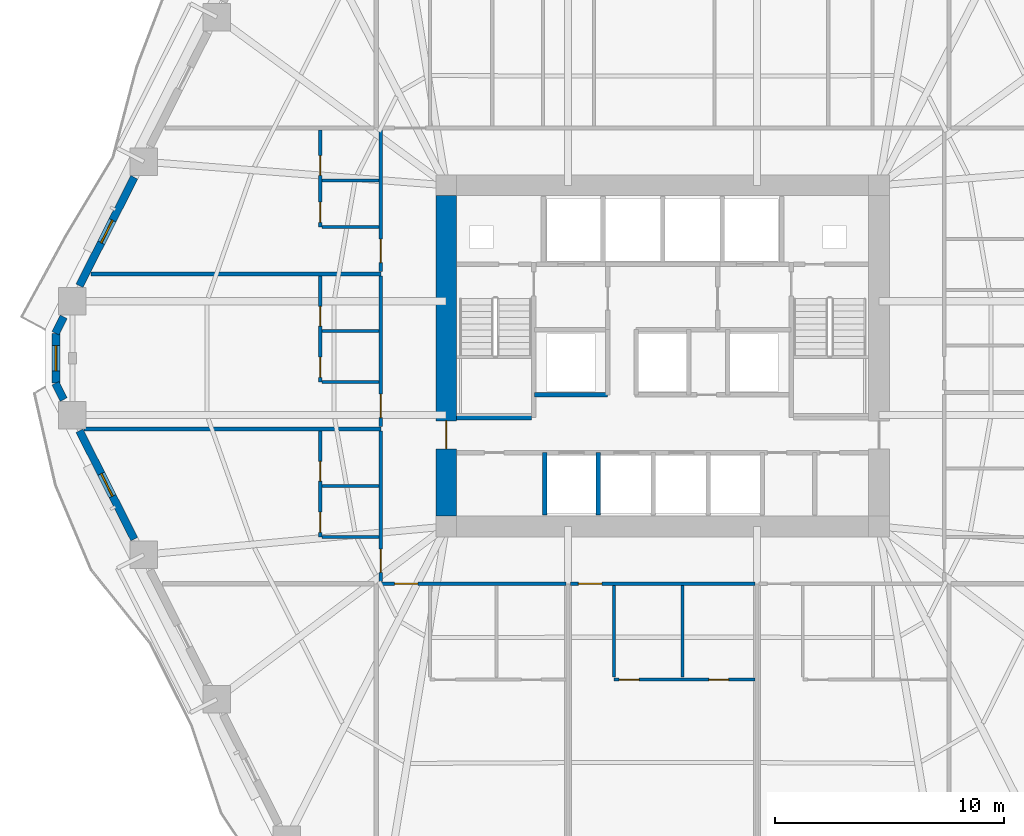
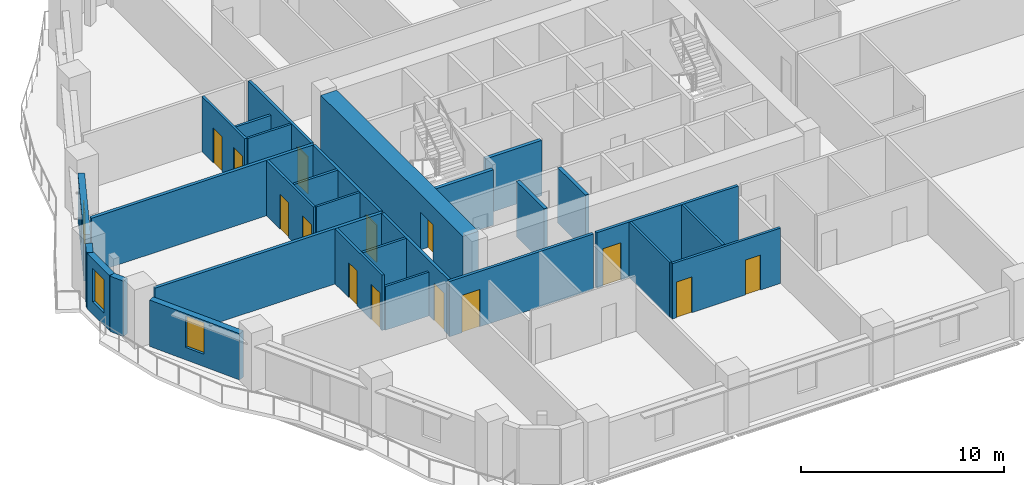
# One storey, part 4 of 14: 29 walls, 14 doors, 3 windows, 17 openings.
"""IFC4 building model written with IfcOpenShell, lengths in metres."""

from ifc_helpers import new_model, si_unit, direction, frame, frame_2d, origin, place, context, subcontext, project, spatial, rectangle, extrude, material, layer, layer_set, type_object, element, fill, save


model = new_model("IFC4")

# Units and contexts
model_context = context("Model", 3, precision=1e-05, world=origin(), true_north=direction((0.0, 1.0)))
body_context = subcontext(model_context, "Body", "Model", "MODEL_VIEW")
ifc_project = project(units=[si_unit("LENGTHUNIT", "METRE"), si_unit("AREAUNIT", "SQUARE_METRE"), si_unit("VOLUMEUNIT", "CUBIC_METRE"), si_unit("PLANEANGLEUNIT", "RADIAN"), si_unit("MASSUNIT", "GRAM", prefix="KILO")], contexts=[model_context])

# Site, building, storey
site_placement = place(None, origin())
site = spatial("IfcSite", under=ifc_project, at=site_placement, CompositionType="ELEMENT")
building_placement = place(site_placement, origin())
building = spatial("IfcBuilding", under=site, at=building_placement, Name="Cinnabar Lancet Tower", CompositionType="ELEMENT")
storey_placement = place(building_placement, frame((0.0, 0.0, 39.10009765625)))
storey = spatial("IfcBuildingStorey", under=building, at=storey_placement, Name="L09", CompositionType="ELEMENT", Elevation=39.10009765625)

# Wall, opening, door
ifc_material_1 = material(Name="Acoustic twin-stud gypsum partition", Category="gypsum")
ifc_layer_1 = layer(ifc_material_1, 0.159912109375)
ifc_layer_set_1 = layer_set([ifc_layer_1], Name="Acoustic twin-stud gypsum partition")
wall_type_1 = type_object("IfcWallType", Name="ARC-WL-CORR-160", PredefinedType="PARTITIONING", material=ifc_layer_set_1)
wall_1_placement = place(storey_placement, frame((19.9951171875, 15.949951171875, 0.0), z_axis=(0.0, 0.0, 1.0), x_axis=(1.0, 0.0, 0.0)))
wall_1 = element("IfcWall", 1, at=wall_1_placement, inside=storey, type_object=wall_type_1, Name="L09 Unit S01 Corridor Wall", PredefinedType="PARTITIONING", context=body_context, shape_type="SweptSolid", body=[
    extrude(rectangle(XDim=8.18798828125, YDim=0.159912109375, at=frame_2d((4.093994140625, 0.0))), origin(), (0.0, 0.0, 1.0), 3.329833984375),
])
opening_1_placement = place(wall_1_placement, frame((0.705078125, 0.0, 0.0)))
opening_1 = element("IfcOpeningElement", 2, at=opening_1_placement, cuts=wall_1, Name="Opening UD-01", PredefinedType="OPENING", context=body_context, shape_type="SweptSolid", body=[
    extrude(rectangle(XDim=1.02001953125, YDim=2.25, at=frame_2d((0.510009765625, 1.125))), frame((0.0, 0.08984375, 0.0), z_axis=(0.0, -1.0, 0.0), x_axis=(1.0, 0.0, 0.0)), (0.0, 0.0, 1.0), 0.179931640625),
])
ifc_material_2 = material(Name="Solid timber fire-rated apartment entrance door", Category="wood")
door_type_1 = type_object("IfcDoorType", Name="ARC-DR-UNIT", OperationType="NOTDEFINED", PredefinedType="DOOR", material=ifc_material_2)
door_1_placement = place(opening_1_placement, origin())
door_1 = element("IfcDoor", 3, at=door_1_placement, inside=storey, type_object=door_type_1, Name="DR-L09-S01-ENT", OperationType="SINGLE_SWING_LEFT", OverallHeight=2.25, OverallWidth=1.02001953125, PredefinedType="DOOR", context=body_context, shape_type="SweptSolid", body=[
    extrude(rectangle(XDim=1.02001953125, YDim=2.25, at=frame_2d((0.510009765625, 1.125))), frame((0.0, 0.02490234375, 0.0), z_axis=(0.0, -1.0, 0.0), x_axis=(1.0, 0.0, 0.0)), (0.0, 0.0, 1.0), 0.050048828125),
])
fill(opening_1, door_1)

wall_2_placement = place(storey_placement, frame((28.373046875, 15.949951171875, 0.0), z_axis=(0.0, 0.0, 1.0), x_axis=(1.0, 0.0, 0.0)))
wall_2 = element("IfcWall", 4, at=wall_2_placement, inside=storey, type_object=wall_type_1, Name="L09 Unit S02 Corridor Wall", PredefinedType="PARTITIONING", context=body_context, shape_type="SweptSolid", body=[
    extrude(rectangle(XDim=8.053955078125, YDim=0.159912109375, at=frame_2d((4.02685546875, 0.0))), origin(), (0.0, 0.0, 1.0), 3.329833984375),
])
opening_2_placement = place(wall_2_placement, frame((0.35498046875, 0.0, 0.0)))
opening_2 = element("IfcOpeningElement", 5, at=opening_2_placement, cuts=wall_2, Name="Opening UD-01", PredefinedType="OPENING", context=body_context, shape_type="SweptSolid", body=[
    extrude(rectangle(XDim=1.02001953125, YDim=2.25, at=frame_2d((0.510009765625, 1.125))), frame((0.0, 0.08984375, 0.0), z_axis=(0.0, -1.0, 0.0), x_axis=(1.0, 0.0, 0.0)), (0.0, 0.0, 1.0), 0.179931640625),
])
door_2_placement = place(opening_2_placement, origin())
door_2 = element("IfcDoor", 6, at=door_2_placement, inside=storey, type_object=door_type_1, Name="DR-L09-S02-ENT", OperationType="SINGLE_SWING_RIGHT", OverallHeight=2.25, OverallWidth=1.02001953125, PredefinedType="DOOR", context=body_context, shape_type="SweptSolid", body=[
    extrude(rectangle(XDim=1.02001953125, YDim=2.25, at=frame_2d((0.510009765625, 1.125))), frame((0.0, 0.02490234375, 0.0), z_axis=(0.0, -1.0, 0.0), x_axis=(1.0, 0.0, 0.0)), (0.0, 0.0, 1.0), 0.050048828125),
])
fill(opening_2, door_2)

wall_3_placement = place(storey_placement, frame((20.10009765625, 16.044921875, 0.0), z_axis=(0.0, 0.0, 1.0), x_axis=(0.0, 1.0, 0.0)))
wall_3 = element("IfcWall", 7, at=wall_3_placement, inside=storey, type_object=wall_type_1, Name="UW-L09-W01-COR", PredefinedType="PARTITIONING", context=body_context, shape_type="SweptSolid", body=[
    extrude(rectangle(XDim=6.576171875, YDim=0.159912109375, at=frame_2d((3.2880859375, 0.0))), origin(), (0.0, 0.0, 1.0), 3.329833984375),
])
opening_3_placement = place(wall_3_placement, frame((0.39990234375, 0.0, 0.0)))
opening_3 = element("IfcOpeningElement", 8, at=opening_3_placement, cuts=wall_3, Name="Opening UD-01", PredefinedType="OPENING", context=body_context, shape_type="SweptSolid", body=[
    extrude(rectangle(XDim=1.02001953125, YDim=2.25, at=frame_2d((0.510009765625, 1.125))), frame((0.0, 0.08984375, 0.0), z_axis=(0.0, -1.0, 0.0), x_axis=(1.0, 0.0, 0.0)), (0.0, 0.0, 1.0), 0.179931640625),
])
door_3_placement = place(opening_3_placement, origin())
door_3 = element("IfcDoor", 9, at=door_3_placement, inside=storey, type_object=door_type_1, Name="DR-L09-W01-ENT", OperationType="SINGLE_SWING_LEFT", OverallHeight=2.25, OverallWidth=1.02001953125, PredefinedType="DOOR", context=body_context, shape_type="SweptSolid", body=[
    extrude(rectangle(XDim=1.02001953125, YDim=2.25, at=frame_2d((0.510009765625, 1.125))), frame((0.0, 0.02490234375, 0.0), z_axis=(0.0, -1.0, 0.0), x_axis=(1.0, 0.0, 0.0)), (0.0, 0.0, 1.0), 0.050048828125),
])
fill(opening_3, door_3)

wall_4_placement = place(storey_placement, frame((20.10009765625, 22.81103515625, 0.0), z_axis=(0.0, 0.0, 1.0), x_axis=(0.0, 1.0, 0.0)))
wall_4 = element("IfcWall", 10, at=wall_4_placement, inside=storey, type_object=wall_type_1, Name="UW-L09-W02-COR", PredefinedType="PARTITIONING", context=body_context, shape_type="SweptSolid", body=[
    extrude(rectangle(XDim=6.575927734375, YDim=0.159912109375, at=frame_2d((3.2880859375, 0.0))), origin(), (0.0, 0.0, 1.0), 3.329833984375),
])
opening_4_placement = place(wall_4_placement, frame((0.39990234375, 0.0, 0.0)))
opening_4 = element("IfcOpeningElement", 11, at=opening_4_placement, cuts=wall_4, Name="Opening UD-01", PredefinedType="OPENING", context=body_context, shape_type="SweptSolid", body=[
    extrude(rectangle(XDim=1.02001953125, YDim=2.25, at=frame_2d((0.510009765625, 1.125))), frame((0.0, 0.08984375, 0.0), z_axis=(0.0, -1.0, 0.0), x_axis=(1.0, 0.0, 0.0)), (0.0, 0.0, 1.0), 0.179931640625),
])
door_4_placement = place(opening_4_placement, origin())
door_4 = element("IfcDoor", 12, at=door_4_placement, inside=storey, type_object=door_type_1, Name="DR-L09-W02-ENT", OperationType="SINGLE_SWING_RIGHT", OverallHeight=2.25, OverallWidth=1.02001953125, PredefinedType="DOOR", context=body_context, shape_type="SweptSolid", body=[
    extrude(rectangle(XDim=1.02001953125, YDim=2.25, at=frame_2d((0.510009765625, 1.125))), frame((0.0, 0.02490234375, 0.0), z_axis=(0.0, -1.0, 0.0), x_axis=(1.0, 0.0, 0.0)), (0.0, 0.0, 1.0), 0.050048828125),
])
fill(opening_4, door_4)

wall_5_placement = place(storey_placement, frame((20.10009765625, 29.576904296875, 0.0), z_axis=(0.0, 0.0, 1.0), x_axis=(0.0, 1.0, 0.0)))
wall_5 = element("IfcWall", 13, at=wall_5_placement, inside=storey, type_object=wall_type_1, Name="UW-L09-W03-COR", PredefinedType="PARTITIONING", context=body_context, shape_type="SweptSolid", body=[
    extrude(rectangle(XDim=6.177978515625, YDim=0.159912109375, at=frame_2d((3.0888671875, 0.0))), origin(), (0.0, 0.0, 1.0), 3.329833984375),
])
opening_5_placement = place(wall_5_placement, frame((0.39990234375, 0.0, 0.0)))
opening_5 = element("IfcOpeningElement", 14, at=opening_5_placement, cuts=wall_5, Name="Opening UD-01", PredefinedType="OPENING", context=body_context, shape_type="SweptSolid", body=[
    extrude(rectangle(XDim=1.02001953125, YDim=2.25, at=frame_2d((0.510009765625, 1.125))), frame((0.0, 0.08984375, 0.0), z_axis=(0.0, -1.0, 0.0), x_axis=(1.0, 0.0, 0.0)), (0.0, 0.0, 1.0), 0.179931640625),
])
door_5_placement = place(opening_5_placement, origin())
door_5 = element("IfcDoor", 15, at=door_5_placement, inside=storey, type_object=door_type_1, Name="DR-L09-W03-ENT", OperationType="SINGLE_SWING_LEFT", OverallHeight=2.25, OverallWidth=1.02001953125, PredefinedType="DOOR", context=body_context, shape_type="SweptSolid", body=[
    extrude(rectangle(XDim=1.02001953125, YDim=2.25, at=frame_2d((0.510009765625, 1.125))), frame((0.0, 0.02490234375, 0.0), z_axis=(0.0, -1.0, 0.0), x_axis=(1.0, 0.0, 0.0)), (0.0, 0.0, 1.0), 0.050048828125),
])
fill(opening_5, door_5)

# Walls
ifc_material_3 = material(Name="Fire-rated twin-frame acoustic drywall", Category="gypsum")
ifc_layer_2 = layer(ifc_material_3, 0.179931640625)
ifc_layer_set_2 = layer_set([ifc_layer_2], Name="Fire-rated twin-frame acoustic drywall")
wall_type_2 = type_object("IfcWallType", Name="ARC-WL-PARTY-180", PredefinedType="PARTITIONING", material=ifc_layer_set_2)
wall_6_placement = place(storey_placement, frame((7.139892578125, 22.716064453125, 0.0), z_axis=(0.0, 0.0, 1.0), x_axis=(1.0, 0.0, 0.0)))
element("IfcWall", 16, at=wall_6_placement, inside=storey, type_object=wall_type_2, Name="PW-L09-WPTY-1", PredefinedType="PARTITIONING", context=body_context, shape_type="SweptSolid", body=[
    extrude(rectangle(XDim=12.960205078125, YDim=0.179931640625, at=frame_2d((6.47998046875, 0.0))), origin(), (0.0, 0.0, 1.0), 3.329833984375),
])
wall_7_placement = place(storey_placement, frame((7.443115234375, 29.48193359375, 0.0), z_axis=(0.0, 0.0, 1.0), x_axis=(1.0, 0.0, 0.0)))
element("IfcWall", 17, at=wall_7_placement, inside=storey, type_object=wall_type_2, Name="PW-L09-WPTY-2", PredefinedType="PARTITIONING", context=body_context, shape_type="SweptSolid", body=[
    extrude(rectangle(XDim=12.656982421875, YDim=0.179931640625, at=frame_2d((6.32861328125, 0.0))), origin(), (0.0, 0.0, 1.0), 3.329833984375),
])
ifc_material_4 = material(Name="Autoclaved aerated concrete blockwork", Category="masonry")
ifc_layer_3 = layer(ifc_material_4, 0.199951171875)
ifc_layer_set_3 = layer_set([ifc_layer_3], Name="Autoclaved aerated concrete blockwork")
wall_type_3 = type_object("IfcWallType", Name="ARC-WL-SHAFT-200", PredefinedType="PLUMBINGWALL", material=ifc_layer_set_3)
wall_8_placement = place(storey_placement, frame((23.405029296875, 23.199951171875, 0.0), z_axis=(0.0, 0.0, 1.0), x_axis=(1.0, 0.0, 0.0)))
element("IfcWall", 18, at=wall_8_placement, inside=storey, type_object=wall_type_3, Name="CW-ST1S-L09", PredefinedType="PLUMBINGWALL", context=body_context, shape_type="SweptSolid", body=[
    extrude(rectangle(XDim=3.27001953125, YDim=0.199951171875, at=frame_2d((1.635009765625, 0.0))), origin(), (0.0, 0.0, 1.0), 3.329833984375),
])
wall_9_placement = place(storey_placement, frame((26.800048828125, 24.199951171875, 0.0), z_axis=(0.0, 0.0, 1.0), x_axis=(1.0, 0.0, 0.0)))
element("IfcWall", 19, at=wall_9_placement, inside=storey, type_object=wall_type_3, Name="CW-PL5S-L09", PredefinedType="PLUMBINGWALL", context=body_context, shape_type="SweptSolid", body=[
    extrude(rectangle(XDim=3.199951171875, YDim=0.199951171875, at=frame_2d((1.60009765625, 0.0))), origin(), (0.0, 0.0, 1.0), 3.329833984375),
])
for number, where, z_axis, x_axis, name in (
    (20, (27.25, 18.949951171875, 0.0), (0.0, 0.0, 1.0), (0.0, 1.0, 0.0), "CW-SB-2725-L09"),
    (21, (29.60009765625, 18.949951171875, 0.0), (0.0, 0.0, 1.0), (0.0, 1.0, 0.0), "CW-SB-2960-L09"),
):
    element("IfcWall", number, at=place(storey_placement, frame(where, z_axis=z_axis, x_axis=x_axis)), inside=storey, type_object=wall_type_3, Name=name, PredefinedType="PLUMBINGWALL", context=body_context, shape_type="SweptSolid", body=[
        extrude(rectangle(XDim=2.72998046875, YDim=0.199951171875, at=frame_2d((1.364990234375, 0.0))), origin(), (0.0, 0.0, 1.0), 3.329833984375),
    ])
ifc_material_5 = material(Name="Gypsum plasterboard stud partition", Category="gypsum")
ifc_layer_4 = layer(ifc_material_5, 0.125)
ifc_layer_set_4 = layer_set([ifc_layer_4], Name="Gypsum plasterboard stud partition")
wall_type_4 = type_object("IfcWallType", Name="ARC-WL-UNIT-125", PredefinedType="PARTITIONING", material=ifc_layer_set_4)
wall_10_placement = place(storey_placement, frame((30.278076171875, 11.8720703125, 0.0), z_axis=(0.0, 0.0, 1.0), x_axis=(0.0, 1.0, 0.0)))
element("IfcWall", 22, at=wall_10_placement, inside=storey, type_object=wall_type_4, Name="UW-L09-S02-FOYE", PredefinedType="PARTITIONING", context=body_context, shape_type="SweptSolid", body=[
    extrude(rectangle(XDim=3.992919921875, YDim=0.125, at=frame_2d((1.99658203125, 0.0))), origin(), (0.0, 0.0, 1.0), 3.329833984375),
])
wall_11_placement = place(storey_placement, frame((17.534912109375, 18.0, 0.0), z_axis=(0.0, 0.0, 1.0), x_axis=(1.0, 0.0, 0.0)))
element("IfcWall", 23, at=wall_11_placement, inside=storey, type_object=wall_type_4, Name="UW-L09-W01-FOYN", PredefinedType="PARTITIONING", context=body_context, shape_type="SweptSolid", body=[
    extrude(rectangle(XDim=2.47998046875, YDim=0.125, at=frame_2d((1.239990234375, 0.0))), origin(), (0.0, 0.0, 1.0), 2.635986328125),
])
for number, where, z_axis, x_axis, name in (
    (24, (17.534912109375, 24.76611328125, 0.0), (0.0, 0.0, 1.0), (1.0, 0.0, 0.0), "UW-L09-W02-FOYN"),
    (25, (17.534912109375, 31.531982421875, 0.0), (0.0, 0.0, 1.0), (1.0, 0.0, 0.0), "UW-L09-W03-FOYN"),
):
    element("IfcWall", number, at=place(storey_placement, frame(where, z_axis=z_axis, x_axis=x_axis)), inside=storey, type_object=wall_type_4, Name=name, PredefinedType="PARTITIONING", context=body_context, shape_type="SweptSolid", body=[
        extrude(rectangle(XDim=2.47998046875, YDim=0.125, at=frame_2d((1.239990234375, 0.0))), origin(), (0.0, 0.0, 1.0), 3.329833984375),
    ])

# Wall, openings, doors
ifc_material_6 = material(Name="Moisture-resistant cement-board plumbing wall", Category="masonry")
ifc_layer_5 = layer(ifc_material_6, 0.139892578125)
ifc_layer_set_5 = layer_set([ifc_layer_5], Name="Moisture-resistant cement-board plumbing wall")
wall_type_5 = type_object("IfcWallType", Name="ARC-WL-WET-140", PredefinedType="PLUMBINGWALL", material=ifc_layer_set_5)
wall_12_placement = place(storey_placement, frame((30.278076171875, 11.76708984375, 0.0), z_axis=(0.0, 0.0, 1.0), x_axis=(1.0, 0.0, 0.0)))
wall_12 = element("IfcWall", 26, at=wall_12_placement, inside=storey, type_object=wall_type_5, Name="UW-L09-S02-SPL", PredefinedType="PLUMBINGWALL", context=body_context, shape_type="SweptSolid", body=[
    extrude(rectangle(XDim=6.14892578125, YDim=0.139892578125, at=frame_2d((3.074462890625, 0.0))), origin(), (0.0, 0.0, 1.0), 3.329833984375),
])
opening_6_placement = place(wall_12_placement, frame((4.14794921875, 0.0, 0.0)))
opening_6 = element("IfcOpeningElement", 27, at=opening_6_placement, cuts=wall_12, Name="Opening BD-01", PredefinedType="OPENING", context=body_context, shape_type="SweptSolid", body=[
    extrude(rectangle(XDim=0.860107421875, YDim=2.10009765625, at=frame_2d((0.43017578125, 1.050048828125))), frame((0.0, 0.079833984375, 0.0), z_axis=(0.0, -1.0, 0.0), x_axis=(1.0, 0.0, 0.0)), (0.0, 0.0, 1.0), 0.159912109375),
])
opening_7_placement = place(wall_12_placement, frame((0.219970703125, 0.0, 0.0)))
opening_7 = element("IfcOpeningElement", 28, at=opening_7_placement, cuts=wall_12, Name="Opening RD-02", PredefinedType="OPENING", context=body_context, shape_type="SweptSolid", body=[
    extrude(rectangle(XDim=0.8798828125, YDim=2.14990234375, at=frame_2d((0.43994140625, 1.074951171875))), frame((0.0, 0.079833984375, 0.0), z_axis=(0.0, -1.0, 0.0), x_axis=(1.0, 0.0, 0.0)), (0.0, 0.0, 1.0), 0.159912109375),
])
ifc_material_7 = material(Name="Moisture-resistant timber bathroom door", Category="wood")
door_type_2 = type_object("IfcDoorType", Name="ARC-DR-BATH", OperationType="NOTDEFINED", PredefinedType="DOOR", material=ifc_material_7)
door_6_placement = place(opening_6_placement, origin())
door_6 = element("IfcDoor", 29, at=door_6_placement, inside=storey, type_object=door_type_2, Name="DR-L09-S02-BTH", OperationType="SINGLE_SWING_RIGHT", OverallHeight=2.10009765625, OverallWidth=0.860107421875, PredefinedType="DOOR", context=body_context, shape_type="SweptSolid", body=[
    extrude(rectangle(XDim=0.860107421875, YDim=2.10009765625, at=frame_2d((0.43017578125, 1.050048828125))), frame((0.0, 0.02490234375, 0.0), z_axis=(0.0, -1.0, 0.0), x_axis=(1.0, 0.0, 0.0)), (0.0, 0.0, 1.0), 0.050048828125),
])
fill(opening_6, door_6)
ifc_material_8 = material(Name="Engineered timber study door", Category="wood")
door_type_3 = type_object("IfcDoorType", Name="ARC-DR-STUDY", OperationType="NOTDEFINED", PredefinedType="DOOR", material=ifc_material_8)
door_7_placement = place(opening_7_placement, origin())
door_7 = element("IfcDoor", 30, at=door_7_placement, inside=storey, type_object=door_type_3, Name="DR-L09-S02-KIT", OperationType="SINGLE_SWING_LEFT", OverallHeight=2.14990234375, OverallWidth=0.8798828125, PredefinedType="DOOR", context=body_context, shape_type="SweptSolid", body=[
    extrude(rectangle(XDim=0.8798828125, YDim=2.14990234375, at=frame_2d((0.43994140625, 1.074951171875))), frame((0.0, 0.02490234375, 0.0), z_axis=(0.0, -1.0, 0.0), x_axis=(1.0, 0.0, 0.0)), (0.0, 0.0, 1.0), 0.050048828125),
])
fill(opening_7, door_7)

# Wall
wall_13_placement = place(storey_placement, frame((33.27490234375, 11.8720703125, 0.0), z_axis=(0.0, 0.0, 1.0), x_axis=(0.0, 1.0, 0.0)))
element("IfcWall", 31, at=wall_13_placement, inside=storey, type_object=wall_type_5, Name="UW-L09-S02-KDV", PredefinedType="PLUMBINGWALL", context=body_context, shape_type="SweptSolid", body=[
    extrude(rectangle(XDim=3.992919921875, YDim=0.139892578125, at=frame_2d((1.99658203125, 0.0))), origin(), (0.0, 0.0, 1.0), 3.329833984375),
])

# Wall, openings, doors
wall_14_placement = place(storey_placement, frame((17.449951171875, 18.0, 0.0), z_axis=(0.0, 0.0, 1.0), x_axis=(0.0, 1.0, 0.0)))
wall_14 = element("IfcWall", 32, at=wall_14_placement, inside=storey, type_object=wall_type_5, Name="UW-L09-W01-SPL", PredefinedType="PLUMBINGWALL", context=body_context, shape_type="SweptSolid", body=[
    extrude(rectangle(XDim=4.62109375, YDim=0.139892578125, at=frame_2d((2.310546875, 0.0))), origin(), (0.0, 0.0, 1.0), 3.329833984375),
])
opening_8_placement = place(wall_14_placement, frame((2.43798828125, 0.0, 0.0)))
opening_8 = element("IfcOpeningElement", 33, at=opening_8_placement, cuts=wall_14, Name="Opening BD-01", PredefinedType="OPENING", context=body_context, shape_type="SweptSolid", body=[
    extrude(rectangle(XDim=0.860107421875, YDim=2.10009765625, at=frame_2d((0.43017578125, 1.050048828125))), frame((0.0, 0.079833984375, 0.0), z_axis=(0.0, -1.0, 0.0), x_axis=(1.0, 0.0, 0.0)), (0.0, 0.0, 1.0), 0.159912109375),
])
opening_9_placement = place(wall_14_placement, frame((0.199951171875, 0.0, 0.0)))
opening_9 = element("IfcOpeningElement", 34, at=opening_9_placement, cuts=wall_14, Name="Opening RD-02", PredefinedType="OPENING", context=body_context, shape_type="SweptSolid", body=[
    extrude(rectangle(XDim=0.8798828125, YDim=2.14990234375, at=frame_2d((0.43994140625, 1.074951171875))), frame((0.0, 0.079833984375, 0.0), z_axis=(0.0, -1.0, 0.0), x_axis=(1.0, 0.0, 0.0)), (0.0, 0.0, 1.0), 0.159912109375),
])
door_8_placement = place(opening_8_placement, origin())
door_8 = element("IfcDoor", 35, at=door_8_placement, inside=storey, type_object=door_type_2, Name="DR-L09-W01-BTH", OperationType="SINGLE_SWING_LEFT", OverallHeight=2.10009765625, OverallWidth=0.860107421875, PredefinedType="DOOR", context=body_context, shape_type="SweptSolid", body=[
    extrude(rectangle(XDim=0.860107421875, YDim=2.10009765625, at=frame_2d((0.43017578125, 1.050048828125))), frame((0.0, 0.02490234375, 0.0), z_axis=(0.0, -1.0, 0.0), x_axis=(1.0, 0.0, 0.0)), (0.0, 0.0, 1.0), 0.050048828125),
])
fill(opening_8, door_8)
door_9_placement = place(opening_9_placement, origin())
door_9 = element("IfcDoor", 36, at=door_9_placement, inside=storey, type_object=door_type_3, Name="DR-L09-W01-KIT", OperationType="SINGLE_SWING_RIGHT", OverallHeight=2.14990234375, OverallWidth=0.8798828125, PredefinedType="DOOR", context=body_context, shape_type="SweptSolid", body=[
    extrude(rectangle(XDim=0.8798828125, YDim=2.14990234375, at=frame_2d((0.43994140625, 1.074951171875))), frame((0.0, 0.02490234375, 0.0), z_axis=(0.0, -1.0, 0.0), x_axis=(1.0, 0.0, 0.0)), (0.0, 0.0, 1.0), 0.050048828125),
])
fill(opening_9, door_9)

# Wall
wall_15_placement = place(storey_placement, frame((17.534912109375, 20.218017578125, 0.0), z_axis=(0.0, 0.0, 1.0), x_axis=(1.0, 0.0, 0.0)))
element("IfcWall", 37, at=wall_15_placement, inside=storey, type_object=wall_type_5, Name="UW-L09-W01-KDV", PredefinedType="PLUMBINGWALL", context=body_context, shape_type="SweptSolid", body=[
    extrude(rectangle(XDim=2.47998046875, YDim=0.139892578125, at=frame_2d((1.239990234375, 0.0))), origin(), (0.0, 0.0, 1.0), 3.329833984375),
])

# Wall, openings, doors
wall_16_placement = place(storey_placement, frame((17.449951171875, 24.76611328125, 0.0), z_axis=(0.0, 0.0, 1.0), x_axis=(0.0, 1.0, 0.0)))
wall_16 = element("IfcWall", 38, at=wall_16_placement, inside=storey, type_object=wall_type_5, Name="UW-L09-W02-SPL", PredefinedType="PLUMBINGWALL", context=body_context, shape_type="SweptSolid", body=[
    extrude(rectangle(XDim=4.620849609375, YDim=0.139892578125, at=frame_2d((2.310546875, 0.0))), origin(), (0.0, 0.0, 1.0), 3.329833984375),
])
opening_10_placement = place(wall_16_placement, frame((2.43798828125, 0.0, 0.0)))
opening_10 = element("IfcOpeningElement", 39, at=opening_10_placement, cuts=wall_16, Name="Opening BD-01", PredefinedType="OPENING", context=body_context, shape_type="SweptSolid", body=[
    extrude(rectangle(XDim=0.860107421875, YDim=2.10009765625, at=frame_2d((0.43017578125, 1.050048828125))), frame((0.0, 0.079833984375, 0.0), z_axis=(0.0, -1.0, 0.0), x_axis=(1.0, 0.0, 0.0)), (0.0, 0.0, 1.0), 0.159912109375),
])
opening_11_placement = place(wall_16_placement, frame((0.199951171875, 0.0, 0.0)))
opening_11 = element("IfcOpeningElement", 40, at=opening_11_placement, cuts=wall_16, Name="Opening RD-02", PredefinedType="OPENING", context=body_context, shape_type="SweptSolid", body=[
    extrude(rectangle(XDim=0.8798828125, YDim=2.14990234375, at=frame_2d((0.43994140625, 1.074951171875))), frame((0.0, 0.079833984375, 0.0), z_axis=(0.0, -1.0, 0.0), x_axis=(1.0, 0.0, 0.0)), (0.0, 0.0, 1.0), 0.159912109375),
])
door_10_placement = place(opening_10_placement, origin())
door_10 = element("IfcDoor", 41, at=door_10_placement, inside=storey, type_object=door_type_2, Name="DR-L09-W02-BTH", OperationType="SINGLE_SWING_RIGHT", OverallHeight=2.10009765625, OverallWidth=0.860107421875, PredefinedType="DOOR", context=body_context, shape_type="SweptSolid", body=[
    extrude(rectangle(XDim=0.860107421875, YDim=2.10009765625, at=frame_2d((0.43017578125, 1.050048828125))), frame((0.0, 0.02490234375, 0.0), z_axis=(0.0, -1.0, 0.0), x_axis=(1.0, 0.0, 0.0)), (0.0, 0.0, 1.0), 0.050048828125),
])
fill(opening_10, door_10)
door_11_placement = place(opening_11_placement, origin())
door_11 = element("IfcDoor", 42, at=door_11_placement, inside=storey, type_object=door_type_3, Name="DR-L09-W02-KIT", OperationType="SINGLE_SWING_LEFT", OverallHeight=2.14990234375, OverallWidth=0.8798828125, PredefinedType="DOOR", context=body_context, shape_type="SweptSolid", body=[
    extrude(rectangle(XDim=0.8798828125, YDim=2.14990234375, at=frame_2d((0.43994140625, 1.074951171875))), frame((0.0, 0.02490234375, 0.0), z_axis=(0.0, -1.0, 0.0), x_axis=(1.0, 0.0, 0.0)), (0.0, 0.0, 1.0), 0.050048828125),
])
fill(opening_11, door_11)

# Wall
wall_17_placement = place(storey_placement, frame((17.534912109375, 26.98388671875, 0.0), z_axis=(0.0, 0.0, 1.0), x_axis=(1.0, 0.0, 0.0)))
element("IfcWall", 43, at=wall_17_placement, inside=storey, type_object=wall_type_5, Name="UW-L09-W02-KDV", PredefinedType="PLUMBINGWALL", context=body_context, shape_type="SweptSolid", body=[
    extrude(rectangle(XDim=2.47998046875, YDim=0.139892578125, at=frame_2d((1.239990234375, 0.0))), origin(), (0.0, 0.0, 1.0), 3.329833984375),
])

# Wall, openings, doors
wall_18_placement = place(storey_placement, frame((17.449951171875, 31.531982421875, 0.0), z_axis=(0.0, 0.0, 1.0), x_axis=(0.0, 1.0, 0.0)))
wall_18 = element("IfcWall", 44, at=wall_18_placement, inside=storey, type_object=wall_type_5, Name="UW-L09-W03-SPL", PredefinedType="PLUMBINGWALL", context=body_context, shape_type="SweptSolid", body=[
    extrude(rectangle(XDim=4.222900390625, YDim=0.139892578125, at=frame_2d((2.111328125, 0.0))), origin(), (0.0, 0.0, 1.0), 3.329833984375),
])
opening_12_placement = place(wall_18_placement, frame((2.2470703125, 0.0, 0.0)))
opening_12 = element("IfcOpeningElement", 45, at=opening_12_placement, cuts=wall_18, Name="Opening BD-01", PredefinedType="OPENING", context=body_context, shape_type="SweptSolid", body=[
    extrude(rectangle(XDim=0.860107421875, YDim=2.10009765625, at=frame_2d((0.43017578125, 1.050048828125))), frame((0.0, 0.079833984375, 0.0), z_axis=(0.0, -1.0, 0.0), x_axis=(1.0, 0.0, 0.0)), (0.0, 0.0, 1.0), 0.159912109375),
])
opening_13_placement = place(wall_18_placement, frame((0.199951171875, 0.0, 0.0)))
opening_13 = element("IfcOpeningElement", 46, at=opening_13_placement, cuts=wall_18, Name="Opening RD-02", PredefinedType="OPENING", context=body_context, shape_type="SweptSolid", body=[
    extrude(rectangle(XDim=0.8798828125, YDim=2.14990234375, at=frame_2d((0.43994140625, 1.074951171875))), frame((0.0, 0.079833984375, 0.0), z_axis=(0.0, -1.0, 0.0), x_axis=(1.0, 0.0, 0.0)), (0.0, 0.0, 1.0), 0.159912109375),
])
door_12_placement = place(opening_12_placement, origin())
door_12 = element("IfcDoor", 47, at=door_12_placement, inside=storey, type_object=door_type_2, Name="DR-L09-W03-BTH", OperationType="SINGLE_SWING_LEFT", OverallHeight=2.10009765625, OverallWidth=0.860107421875, PredefinedType="DOOR", context=body_context, shape_type="SweptSolid", body=[
    extrude(rectangle(XDim=0.860107421875, YDim=2.10009765625, at=frame_2d((0.43017578125, 1.050048828125))), frame((0.0, 0.02490234375, 0.0), z_axis=(0.0, -1.0, 0.0), x_axis=(1.0, 0.0, 0.0)), (0.0, 0.0, 1.0), 0.050048828125),
])
fill(opening_12, door_12)
door_13_placement = place(opening_13_placement, origin())
door_13 = element("IfcDoor", 48, at=door_13_placement, inside=storey, type_object=door_type_3, Name="DR-L09-W03-KIT", OperationType="SINGLE_SWING_RIGHT", OverallHeight=2.14990234375, OverallWidth=0.8798828125, PredefinedType="DOOR", context=body_context, shape_type="SweptSolid", body=[
    extrude(rectangle(XDim=0.8798828125, YDim=2.14990234375, at=frame_2d((0.43994140625, 1.074951171875))), frame((0.0, 0.02490234375, 0.0), z_axis=(0.0, -1.0, 0.0), x_axis=(1.0, 0.0, 0.0)), (0.0, 0.0, 1.0), 0.050048828125),
])
fill(opening_13, door_13)

# Wall
wall_19_placement = place(storey_placement, frame((17.534912109375, 33.55908203125, 0.0), z_axis=(0.0, 0.0, 1.0), x_axis=(1.0, 0.0, 0.0)))
element("IfcWall", 49, at=wall_19_placement, inside=storey, type_object=wall_type_5, Name="UW-L09-W03-KDV", PredefinedType="PLUMBINGWALL", context=body_context, shape_type="SweptSolid", body=[
    extrude(rectangle(XDim=2.47998046875, YDim=0.139892578125, at=frame_2d((1.239990234375, 0.0))), origin(), (0.0, 0.0, 1.0), 2.635986328125),
])

# Wall, opening, window
ifc_material_9 = material(Name="Cinnabar red clay brick", Category="masonry")
ifc_layer_6 = layer(ifc_material_9, 0.340087890625)
ifc_layer_set_6 = layer_set([ifc_layer_6], Name="Cinnabar red clay brick")
wall_type_6 = type_object("IfcWallType", Name="ENV-WL-BRK-RED-340", PredefinedType="STANDARD", material=ifc_layer_set_6)
wall_20_placement = place(storey_placement, frame((5.912109375, 26.885986328125, 0.0), z_axis=(0.0, 0.0, 1.0), x_axis=(0.0, -1.0, 0.0)))
wall_20 = element("IfcWall", 50, at=wall_20_placement, inside=storey, type_object=wall_type_6, Name="L09 Chamfered Corner Brick Pier 6.1", PredefinedType="STANDARD", context=body_context, shape_type="SweptSolid", body=[
    extrude(rectangle(XDim=2.171875, YDim=0.340087890625, at=frame_2d((1.0859375, 0.0))), origin(), (0.0, 0.0, 1.0), 3.329833984375),
])
opening_14_placement = place(wall_20_placement, frame((0.535888671875, 0.0, 0.75)))
opening_14 = element("IfcOpeningElement", 51, at=opening_14_placement, cuts=wall_20, Name="Opening WN-04", PredefinedType="OPENING", context=body_context, shape_type="SweptSolid", body=[
    extrude(rectangle(XDim=1.10009765625, YDim=2.0, at=frame_2d((0.550048828125, 1.0))), frame((0.0, 0.179931640625, 0.0), z_axis=(0.0, -1.0, 0.0), x_axis=(1.0, 0.0, 0.0)), (0.0, 0.0, 1.0), 0.360107421875),
])
ifc_material_10 = material(Name="Thermally broken bronze-anodized aluminium tall lancet window", Category="aluminium")
window_type = type_object("IfcWindowType", Name="ENV-WN-LANCET-1100", PartitioningType="SINGLE_PANEL", PredefinedType="WINDOW", material=ifc_material_10)
window_1_placement = place(opening_14_placement, origin())
window_1 = element("IfcWindow", 52, at=window_1_placement, inside=storey, type_object=window_type, Name="L09 Dwelling Gothic Lancet Window 302", OverallHeight=2.0, OverallWidth=1.10009765625, PartitioningType="SINGLE_PANEL", PredefinedType="WINDOW", context=body_context, shape_type="SweptSolid", body=[
    extrude(rectangle(XDim=1.10009765625, YDim=2.0, at=frame_2d((0.550048828125, 1.0))), frame((0.0, 0.030029296875, 0.0), z_axis=(0.0, -1.0, 0.0), x_axis=(1.0, 0.0, 0.0)), (0.0, 0.0, 1.0), 0.06005859375),
])
fill(opening_14, window_1)

wall_21_placement = place(storey_placement, frame((9.3349609375, 33.698974609375, 0.0), z_axis=(0.0, 0.0, 1.0), x_axis=(-0.451590635984, -0.892225250422, 0.0)))
wall_21 = element("IfcWall", 53, at=wall_21_placement, inside=storey, type_object=wall_type_6, Name="L09 Face 5 Masonry Bay Wall 4", PredefinedType="STANDARD", context=body_context, shape_type="SweptSolid", body=[
    extrude(rectangle(XDim=5.303466796875, YDim=0.340087890625, at=frame_2d((2.65185546875, 0.0))), origin(), (0.0, 0.0, 1.0), 2.786865234375),
])
opening_15_placement = place(wall_21_placement, frame((2.10205078125, 0.0, 0.75)))
opening_15 = element("IfcOpeningElement", 54, at=opening_15_placement, cuts=wall_21, Name="Opening WN-04", PredefinedType="OPENING", context=body_context, shape_type="SweptSolid", body=[
    extrude(rectangle(XDim=1.10009765625, YDim=1.886962890625, at=frame_2d((0.550048828125, 0.943359375))), frame((0.0, 0.179931640625, 0.0), z_axis=(0.0, -1.0, 0.0), x_axis=(1.0, 0.0, 0.0)), (0.0, 0.0, 1.0), 0.360107421875),
])
window_2_placement = place(opening_15_placement, origin())
window_2 = element("IfcWindow", 55, at=window_2_placement, inside=storey, type_object=window_type, Name="L09 Face 5 Gothic Lancet Window 4", OverallHeight=1.886962890625, OverallWidth=1.10009765625, PartitioningType="SINGLE_PANEL", PredefinedType="WINDOW", context=body_context, shape_type="SweptSolid", body=[
    extrude(rectangle(XDim=1.10009765625, YDim=1.886962890625, at=frame_2d((0.550048828125, 0.943359375))), frame((0.0, 0.030029296875, 0.0), z_axis=(0.0, -1.0, 0.0), x_axis=(1.0, 0.0, 0.0)), (0.0, 0.0, 1.0), 0.06005859375),
])
fill(opening_15, window_2)

# Walls
for number, where, z_axis, x_axis, name in (
    (56, (6.251953125, 27.60498046875, 0.0), (0.0, 0.0, 1.0), (-0.452101093511, -0.891966704113, 0.0), "L09 Face 5 Masonry Bay Wall 5"),
    (57, (5.89111328125, 24.70703125, 0.0), (0.0, 0.0, 1.0), (0.452101093511, -0.891966704113, 0.0), "L09 Face 6 Masonry Bay Wall 1"),
):
    element("IfcWall", number, at=place(storey_placement, frame(where, z_axis=z_axis, x_axis=x_axis)), inside=storey, type_object=wall_type_6, Name=name, PredefinedType="STANDARD", context=body_context, shape_type="SweptSolid", body=[
        extrude(rectangle(XDim=0.798095703125, YDim=0.340087890625, at=frame_2d((0.39892578125, 0.0))), origin(), (0.0, 0.0, 1.0), 3.329833984375),
    ])

# Wall, opening, window
wall_22_placement = place(storey_placement, frame((6.93994140625, 22.633056640625, 0.0), z_axis=(0.0, 0.0, 1.0), x_axis=(0.451572088722, -0.892234637686, 0.0)))
wall_22 = element("IfcWall", 58, at=wall_22_placement, inside=storey, type_object=wall_type_6, Name="L09 Face 6 Masonry Bay Wall 2", PredefinedType="STANDARD", context=body_context, shape_type="SweptSolid", body=[
    extrude(rectangle(XDim=5.3037109375, YDim=0.340087890625, at=frame_2d((2.65185546875, 0.0))), origin(), (0.0, 0.0, 1.0), 2.786865234375),
])
opening_16_placement = place(wall_22_placement, frame((2.10205078125, 0.0, 0.75)))
opening_16 = element("IfcOpeningElement", 59, at=opening_16_placement, cuts=wall_22, Name="Opening WN-04", PredefinedType="OPENING", context=body_context, shape_type="SweptSolid", body=[
    extrude(rectangle(XDim=1.10009765625, YDim=1.886962890625, at=frame_2d((0.550048828125, 0.943359375))), frame((0.0, 0.179931640625, 0.0), z_axis=(0.0, -1.0, 0.0), x_axis=(1.0, 0.0, 0.0)), (0.0, 0.0, 1.0), 0.360107421875),
])
window_3_placement = place(opening_16_placement, origin())
window_3 = element("IfcWindow", 60, at=window_3_placement, inside=storey, type_object=window_type, Name="L09 Face 6 Gothic Lancet Window 2", OverallHeight=1.886962890625, OverallWidth=1.10009765625, PartitioningType="SINGLE_PANEL", PredefinedType="WINDOW", context=body_context, shape_type="SweptSolid", body=[
    extrude(rectangle(XDim=1.10009765625, YDim=1.886962890625, at=frame_2d((0.550048828125, 0.943359375))), frame((0.0, 0.030029296875, 0.0), z_axis=(0.0, -1.0, 0.0), x_axis=(1.0, 0.0, 0.0)), (0.0, 0.0, 1.0), 0.06005859375),
])
fill(opening_16, window_3)

# Wall, opening, door
ifc_material_11 = material(Name="Concrete C80/95", Category="concrete")
ifc_layer_7 = layer(ifc_material_11, 0.89990234375)
ifc_layer_set_7 = layer_set([ifc_layer_7], Name="Concrete C80/95")
wall_type_7 = type_object("IfcWallType", Name="STR-WL-CORE-900", PredefinedType="SHEAR", material=ifc_layer_set_7)
wall_23_placement = place(storey_placement, frame((22.949951171875, 18.89990234375, 0.0), z_axis=(0.0, 0.0, 1.0), x_axis=(0.0, 1.0, 0.0)))
wall_23 = element("IfcWall", 61, at=wall_23_placement, inside=storey, type_object=wall_type_7, Name="L09 Core Shear Wall W", PredefinedType="SHEAR", context=body_context, shape_type="SweptSolid", body=[
    extrude(rectangle(XDim=14.0, YDim=0.89990234375, at=frame_2d((7.0, 0.0))), origin(), (0.0, 0.0, 1.0), 3.329833984375),
])
opening_17_placement = place(wall_23_placement, frame((2.93994140625, 0.0, 0.0)))
opening_17 = element("IfcOpeningElement", 62, at=opening_17_placement, cuts=wall_23, Name="Opening FD-02", PredefinedType="OPENING", context=body_context, shape_type="SweptSolid", body=[
    extrude(rectangle(XDim=1.219970703125, YDim=2.25, at=frame_2d((0.60986328125, 1.125))), frame((0.0, 0.4599609375, 0.0), z_axis=(0.0, -1.0, 0.0), x_axis=(1.0, 0.0, 0.0)), (0.0, 0.0, 1.0), 0.919921875),
])
ifc_material_12 = material(Name="Fire-rated double-vision core portal door", Category="wood")
door_type_4 = type_object("IfcDoorType", Name="ARC-DR-CPORT", OperationType="NOTDEFINED", PredefinedType="DOOR", material=ifc_material_12)
door_14_placement = place(opening_17_placement, origin())
door_14 = element("IfcDoor", 63, at=door_14_placement, inside=storey, type_object=door_type_4, Name="L09 West Core Lobby Fire Door", OperationType="SINGLE_SWING_RIGHT", OverallHeight=2.25, OverallWidth=1.219970703125, PredefinedType="DOOR", context=body_context, shape_type="SweptSolid", body=[
    extrude(rectangle(XDim=1.219970703125, YDim=2.25, at=frame_2d((0.60986328125, 1.125))), frame((0.0, 0.02490234375, 0.0), z_axis=(0.0, -1.0, 0.0), x_axis=(1.0, 0.0, 0.0)), (0.0, 0.0, 1.0), 0.050048828125),
])
fill(opening_17, door_14)

save(model, "model.ifc")
